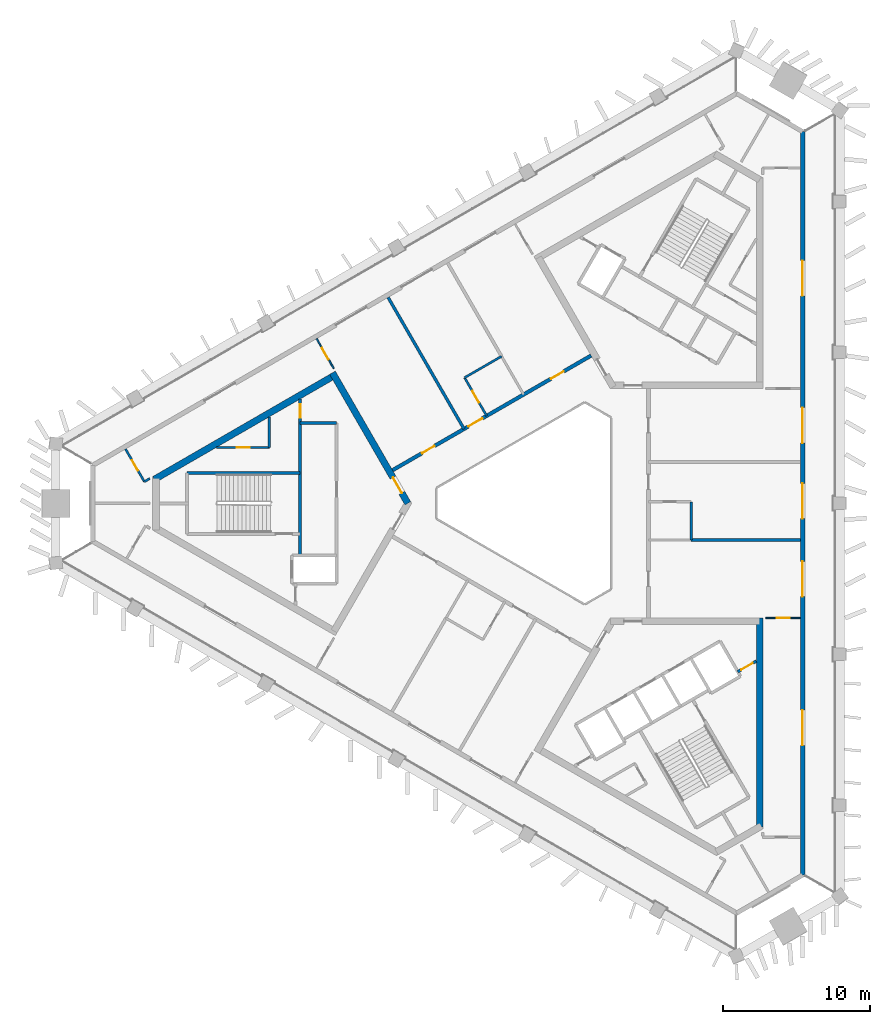
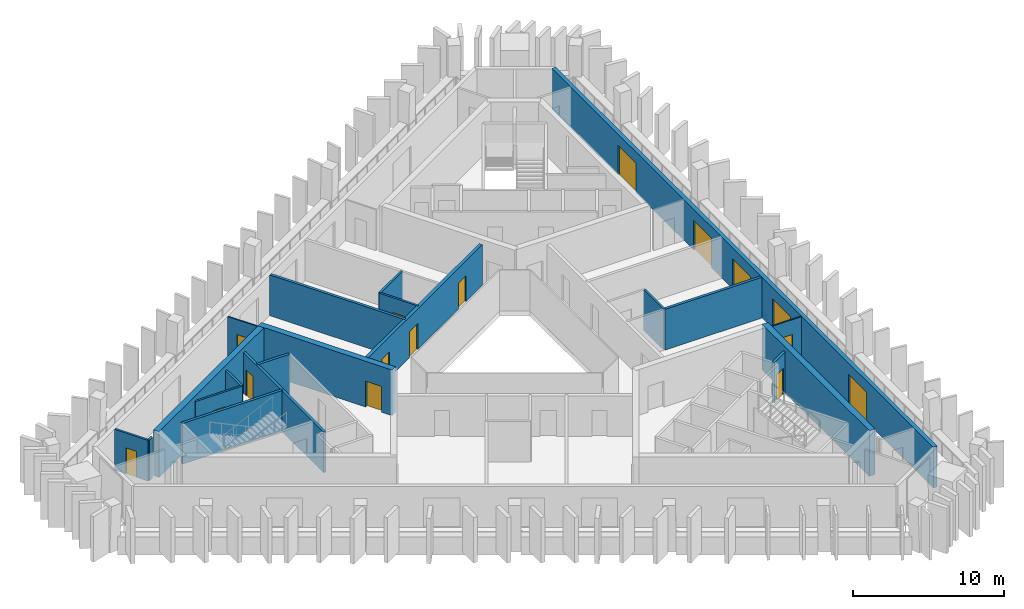
# One storey, part 4 of 9: 20 walls, 16 doors, 16 openings.
"""IFC4 building model written with IfcOpenShell, lengths in metres."""

from ifc_helpers import new_model, si_unit, direction, frame, frame_2d, origin, place, context, subcontext, project, spatial, rectangle, extrude, material, layer, layer_set, type_object, element, fill, save


model = new_model("IFC4")

# Units and contexts
model_context = context("Model", 3, precision=1e-05, world=origin(), true_north=direction((0.0, 1.0)))
body_context = subcontext(model_context, "Body", "Model", "MODEL_VIEW")
ifc_project = project(units=[si_unit("LENGTHUNIT", "METRE"), si_unit("AREAUNIT", "SQUARE_METRE"), si_unit("VOLUMEUNIT", "CUBIC_METRE"), si_unit("PLANEANGLEUNIT", "RADIAN"), si_unit("MASSUNIT", "GRAM", prefix="KILO")], contexts=[model_context])

# Site, building, storey
site_placement = place(None, origin())
site = spatial("IfcSite", under=ifc_project, at=site_placement, CompositionType="ELEMENT")
building_placement = place(site_placement, origin())
building = spatial("IfcBuilding", under=site, at=building_placement, Name="Jabali Bay Hotel Tower and Convention Centre", CompositionType="ELEMENT")
storey_placement = place(building_placement, frame((0.0, 0.0, 224.300048828125)))
storey = spatial("IfcBuildingStorey", under=building, at=storey_placement, Name="L55", CompositionType="ELEMENT", Elevation=224.300048828125)

# Wall, opening, door
ifc_material_1 = material(Name="Concrete C40", Category="concrete")
ifc_layer_1 = layer(ifc_material_1, 0.199951171875)
ifc_layer_set_1 = layer_set([ifc_layer_1], Name="Concrete C40")
wall_type_1 = type_object("IfcWallType", Name="Core partition wall 200", PredefinedType="PARTITIONING", material=ifc_layer_set_1)
wall_1_placement = place(storey_placement, frame((88.164794921875, 68.548095703125, 0.0), z_axis=(0.0, 0.0, 1.0), x_axis=(0.866013036001, 0.500021421018, 0.0)))
wall_1 = element("IfcWall", 1, at=wall_1_placement, inside=storey, type_object=wall_type_1, Name="Core wall 2.12 L55", PredefinedType="PARTITIONING", context=body_context, shape_type="SweptSolid", body=[
    extrude(rectangle(XDim=1.4609375, YDim=0.199951171875, at=frame_2d((0.73046875, 0.0))), origin(), (0.0, 0.0, 1.0), 3.300048828125),
])
opening_1_placement = place(wall_1_placement, frame((0.280517578125, 0.0, 0.0)))
opening_1 = element("IfcOpeningElement", 2, at=opening_1_placement, cuts=wall_1, Name="Opening D1206", PredefinedType="OPENING", context=body_context, shape_type="SweptSolid", body=[
    extrude(rectangle(XDim=0.89990234375, YDim=2.10009765625, at=frame_2d((0.449951171875, 1.050048828125))), frame((0.0, 0.1103515625, 0.0), z_axis=(0.0, -1.0, 0.0), x_axis=(1.0, 0.0, 0.0)), (0.0, 0.0, 1.0), 0.220947265625),
])
ifc_material_2 = material(Name="Fire-rated steel door", Category="steel")
door_type_1 = type_object("IfcDoorType", Name="Vestibule fire door 900 x 2100", OperationType="NOTDEFINED", PredefinedType="NOTDEFINED", material=ifc_material_2)
door_1_placement = place(opening_1_placement, origin())
door_1 = element("IfcDoor", 3, at=door_1_placement, inside=storey, type_object=door_type_1, Name="Vestibule fire door D1206", OperationType="SINGLE_SWING_LEFT", OverallHeight=2.10009765625, OverallWidth=0.89990234375, PredefinedType="NOTDEFINED", context=body_context, shape_type="SweptSolid", body=[
    extrude(rectangle(XDim=0.89990234375, YDim=2.10009765625, at=frame_2d((0.449951171875, 1.050048828125))), frame((0.0, 0.02490234375, 0.0), z_axis=(0.0, -1.0, 0.0), x_axis=(1.0, 0.0, 0.0)), (0.0, 0.0, 1.0), 0.050048828125),
])
fill(opening_1, door_1)

ifc_material_3 = material(Name="Fire-rated board partition")
ifc_layer_2 = layer(ifc_material_3, 0.14990234375)
ifc_layer_set_2 = layer_set([ifc_layer_2], Name="Fire-rated board partition")
wall_type_2 = type_object("IfcWallType", Name="Core room partition 150", PredefinedType="PARTITIONING", material=ifc_layer_set_2)
wall_2_placement = place(storey_placement, frame((56.320068359375, 83.800048828125, 0.0), z_axis=(0.0, 0.0, 1.0), x_axis=(-1.0, 0.0, 0.0)))
wall_2 = element("IfcWall", 4, at=wall_2_placement, inside=storey, type_object=wall_type_2, Name="Core wall 0.1 L55", PredefinedType="PARTITIONING", context=body_context, shape_type="SweptSolid", body=[
    extrude(rectangle(XDim=3.598388671875, YDim=0.14990234375, at=frame_2d((1.79931640625, 0.0))), origin(), (0.0, 0.0, 1.0), 3.300048828125),
])
opening_2_placement = place(wall_2_placement, frame((1.321533203125, 0.0, 0.0)))
opening_2 = element("IfcOpeningElement", 5, at=opening_2_placement, cuts=wall_2, Name="Opening D1193", PredefinedType="OPENING", context=body_context, shape_type="SweptSolid", body=[
    extrude(rectangle(XDim=0.89990234375, YDim=2.10009765625, at=frame_2d((0.449951171875, 1.050048828125))), frame((0.0, 0.08544921875, 0.0), z_axis=(0.0, -1.0, 0.0), x_axis=(1.0, 0.0, 0.0)), (0.0, 0.0, 1.0), 0.1708984375),
])
door_type_2 = type_object("IfcDoorType", Name="Core room door 900 x 2100", OperationType="NOTDEFINED", PredefinedType="NOTDEFINED", material=ifc_material_2)
door_2_placement = place(opening_2_placement, origin())
door_2 = element("IfcDoor", 6, at=door_2_placement, inside=storey, type_object=door_type_2, Name="Core room door D1193", OperationType="SINGLE_SWING_LEFT", OverallHeight=2.10009765625, OverallWidth=0.89990234375, PredefinedType="NOTDEFINED", context=body_context, shape_type="SweptSolid", body=[
    extrude(rectangle(XDim=0.89990234375, YDim=2.10009765625, at=frame_2d((0.449951171875, 1.050048828125))), frame((0.0, 0.02490234375, 0.0), z_axis=(0.0, -1.0, 0.0), x_axis=(1.0, 0.0, 0.0)), (0.0, 0.0, 1.0), 0.050048828125),
])
fill(opening_2, door_2)

# Walls
wall_3_placement = place(storey_placement, frame((56.320068359375, 85.87744140625, 0.0), z_axis=(0.0, 0.0, 1.0), x_axis=(0.0, -1.0, 0.0)))
element("IfcWall", 7, at=wall_3_placement, inside=storey, type_object=wall_type_2, Name="Core wall 0.11 L55", PredefinedType="PARTITIONING", context=body_context, shape_type="SweptSolid", body=[
    extrude(rectangle(XDim=2.077392578125, YDim=0.14990234375, at=frame_2d((1.03857421875, 0.0))), origin(), (0.0, 0.0, 1.0), 3.300048828125),
])
ifc_layer_3 = layer(ifc_material_1, 0.199951171875)
ifc_layer_set_3 = layer_set([ifc_layer_3], Name="Concrete C40")
wall_type_3 = type_object("IfcWallType", Name="Core stair wall 200", PredefinedType="SOLIDWALL", material=ifc_layer_set_3)
wall_4_placement = place(storey_placement, frame((60.89990234375, 85.449951171875, 0.0), z_axis=(0.0, 0.0, 1.0), x_axis=(-1.0, 0.0, 0.0)))
element("IfcWall", 8, at=wall_4_placement, inside=storey, type_object=wall_type_3, Name="Core wall 0.0 L55", PredefinedType="SOLIDWALL", context=body_context, shape_type="SweptSolid", body=[
    extrude(rectangle(XDim=2.47998046875, YDim=0.199951171875, at=frame_2d((1.239990234375, 0.0))), origin(), (0.0, 0.0, 1.0), 3.300048828125),
])
wall_5_placement = place(storey_placement, frame((58.419921875, 82.074951171875, 0.0), z_axis=(0.0, 0.0, 1.0), x_axis=(-1.0, 0.0, 0.0)))
element("IfcWall", 9, at=wall_5_placement, inside=storey, type_object=wall_type_3, Name="Core wall 0.2 L55", PredefinedType="SOLIDWALL", context=body_context, shape_type="SweptSolid", body=[
    extrude(rectangle(XDim=7.699951171875, YDim=0.199951171875, at=frame_2d((3.85009765625, 0.0))), origin(), (0.0, 0.0, 1.0), 3.300048828125),
])

# Wall, opening, door
wall_6_placement = place(storey_placement, frame((58.419921875, 87.08984375, 0.0), z_axis=(0.0, 0.0, 1.0), x_axis=(0.0, -1.0, 0.0)))
wall_6 = element("IfcWall", 10, at=wall_6_placement, inside=storey, type_object=wall_type_3, Name="Core wall 0.8 L55", PredefinedType="SOLIDWALL", context=body_context, shape_type="SweptSolid", body=[
    extrude(rectangle(XDim=10.639892578125, YDim=0.199951171875, at=frame_2d((5.31982421875, 0.0))), origin(), (0.0, 0.0, 1.0), 3.300048828125),
])
opening_3_placement = place(wall_6_placement, frame((0.369873046875, 0.0, 0.0)))
opening_3 = element("IfcOpeningElement", 11, at=opening_3_placement, cuts=wall_6, Name="Opening D1191", PredefinedType="OPENING", context=body_context, shape_type="SweptSolid", body=[
    extrude(rectangle(XDim=0.89990234375, YDim=2.10009765625, at=frame_2d((0.449951171875, 1.050048828125))), frame((0.0, 0.1103515625, 0.0), z_axis=(0.0, -1.0, 0.0), x_axis=(1.0, 0.0, 0.0)), (0.0, 0.0, 1.0), 0.220947265625),
])
door_3_placement = place(opening_3_placement, origin())
door_3 = element("IfcDoor", 12, at=door_3_placement, inside=storey, type_object=door_type_1, Name="Vestibule fire door D1191", OperationType="SINGLE_SWING_LEFT", OverallHeight=2.10009765625, OverallWidth=0.89990234375, PredefinedType="NOTDEFINED", context=body_context, shape_type="SweptSolid", body=[
    extrude(rectangle(XDim=0.89990234375, YDim=2.10009765625, at=frame_2d((0.449951171875, 1.050048828125))), frame((0.0, 0.02490234375, 0.0), z_axis=(0.0, -1.0, 0.0), x_axis=(1.0, 0.0, 0.0)), (0.0, 0.0, 1.0), 0.050048828125),
])
fill(opening_3, door_3)

ifc_material_4 = material(Name="Concrete C60", Category="concrete")
ifc_layer_4 = layer(ifc_material_4, 0.449951171875)
ifc_layer_set_4 = layer_set([ifc_layer_4], Name="Concrete C60")
wall_type_4 = type_object("IfcWallType", Name="Core wall 450", PredefinedType="SHEAR", material=ifc_layer_set_4)
wall_7_placement = place(storey_placement, frame((65.740234375, 80.0, 0.0), z_axis=(0.0, 0.0, 1.0), x_axis=(-0.499991857942, 0.866030104553, 0.0)))
wall_7 = element("IfcWall", 13, at=wall_7_placement, inside=storey, type_object=wall_type_4, Name="Core wall 1.1 L55", PredefinedType="SHEAR", context=body_context, shape_type="SweptSolid", body=[
    extrude(rectangle(XDim=10.250244140625, YDim=0.449951171875, at=frame_2d((5.125, 0.0))), origin(), (0.0, 0.0, 1.0), 3.699951171875),
])
opening_4_placement = place(wall_7_placement, frame((0.820068359375, 0.0, 0.0)))
opening_4 = element("IfcOpeningElement", 14, at=opening_4_placement, cuts=wall_7, Name="Opening D1187", PredefinedType="OPENING", context=body_context, shape_type="SweptSolid", body=[
    extrude(rectangle(XDim=1.199951171875, YDim=2.10009765625, at=frame_2d((0.60009765625, 1.050048828125))), frame((0.0, 0.2353515625, 0.0), z_axis=(0.0, -1.0, 0.0), x_axis=(1.0, 0.0, 0.0)), (0.0, 0.0, 1.0), 0.470947265625),
])
door_type_3 = type_object("IfcDoorType", Name="Corridor end fire door 1200 x 2100", OperationType="NOTDEFINED", PredefinedType="NOTDEFINED", material=ifc_material_2)
door_4_placement = place(opening_4_placement, origin())
door_4 = element("IfcDoor", 15, at=door_4_placement, inside=storey, type_object=door_type_3, Name="Corridor end fire door D1187", OperationType="SINGLE_SWING_RIGHT", OverallHeight=2.10009765625, OverallWidth=1.199951171875, PredefinedType="NOTDEFINED", context=body_context, shape_type="SweptSolid", body=[
    extrude(rectangle(XDim=1.199951171875, YDim=2.10009765625, at=frame_2d((0.60009765625, 1.050048828125))), frame((0.0, 0.02490234375, 0.0), z_axis=(0.0, -1.0, 0.0), x_axis=(1.0, 0.0, 0.0)), (0.0, 0.0, 1.0), 0.050048828125),
])
fill(opening_4, door_4)

# Walls
wall_8_placement = place(storey_placement, frame((60.7275390625, 88.681884765625, 0.0), z_axis=(0.0, 0.0, 1.0), x_axis=(-0.866021613849, -0.500006564303, 0.0)))
element("IfcWall", 16, at=wall_8_placement, inside=storey, type_object=wall_type_4, Name="Core wall 1.2 L55", PredefinedType="SHEAR", context=body_context, shape_type="SweptSolid", body=[
    extrude(rectangle(XDim=14.108154296875, YDim=0.449951171875, at=frame_2d((7.05419921875, 0.0))), origin(), (0.0, 0.0, 1.0), 3.699951171875),
])
wall_9_placement = place(storey_placement, frame((89.655029296875, 58.002197265625, 0.0), z_axis=(0.0, 0.0, 1.0), x_axis=(0.0, 1.0, 0.0)))
element("IfcWall", 17, at=wall_9_placement, inside=storey, type_object=wall_type_4, Name="Core wall 3.4 L55", PredefinedType="SHEAR", context=body_context, shape_type="SweptSolid", body=[
    extrude(rectangle(XDim=14.20361328125, YDim=0.449951171875, at=frame_2d((7.101806640625, 0.0))), origin(), (0.0, 0.0, 1.0), 3.699951171875),
])

# Wall, openings, doors
ifc_layer_5 = layer(ifc_material_4, 0.25)
ifc_layer_set_5 = layer_set([ifc_layer_5], Name="Concrete C60")
wall_type_5 = type_object("IfcWallType", Name="Corridor wall 250", PredefinedType="SHEAR", material=ifc_layer_set_5)
wall_10_placement = place(storey_placement, frame((78.199951171875, 90.0458984375, 0.0), z_axis=(0.0, 0.0, 1.0), x_axis=(-0.866026492143, -0.499998114903, 0.0)))
wall_10 = element("IfcWall", 18, at=wall_10_placement, inside=storey, type_object=wall_type_5, Name="Corridor wall 2 L55", PredefinedType="SHEAR", context=body_context, shape_type="SweptSolid", body=[
    extrude(rectangle(XDim=15.58837890625, YDim=0.25, at=frame_2d((7.794189453125, 0.0))), origin(), (0.0, 0.0, 1.0), 3.300048828125),
])
opening_5_placement = place(wall_10_placement, frame((2.14990234375, 0.0, 0.0)))
opening_5 = element("IfcOpeningElement", 19, at=opening_5_placement, cuts=wall_10, Name="Opening 5509", PredefinedType="OPENING", context=body_context, shape_type="SweptSolid", body=[
    extrude(rectangle(XDim=1.0, YDim=2.10009765625, at=frame_2d((0.5, 1.050048828125))), frame((0.0, 0.135498046875, 0.0), z_axis=(0.0, -1.0, 0.0), x_axis=(1.0, 0.0, 0.0)), (0.0, 0.0, 1.0), 0.27099609375),
])
opening_6_placement = place(wall_10_placement, frame((8.538330078125, 0.0, 0.0)))
opening_6 = element("IfcOpeningElement", 20, at=opening_6_placement, cuts=wall_10, Name="Opening 5513", PredefinedType="OPENING", context=body_context, shape_type="SweptSolid", body=[
    extrude(rectangle(XDim=1.10009765625, YDim=2.10009765625, at=frame_2d((0.550048828125, 1.050048828125))), frame((0.0, 0.135498046875, 0.0), z_axis=(0.0, -1.0, 0.0), x_axis=(1.0, 0.0, 0.0)), (0.0, 0.0, 1.0), 0.27099609375),
])
opening_7_placement = place(wall_10_placement, frame((12.282470703125, 0.0, 0.0)))
opening_7 = element("IfcOpeningElement", 21, at=opening_7_placement, cuts=wall_10, Name="Opening 5514", PredefinedType="OPENING", context=body_context, shape_type="SweptSolid", body=[
    extrude(rectangle(XDim=1.0, YDim=2.10009765625, at=frame_2d((0.5, 1.050048828125))), frame((0.0, 0.135498046875, 0.0), z_axis=(0.0, -1.0, 0.0), x_axis=(1.0, 0.0, 0.0)), (0.0, 0.0, 1.0), 0.27099609375),
])
ifc_material_5 = material(Name="Timber", Category="wood")
door_type_4 = type_object("IfcDoorType", Name="Accessible guest room door 1100 x 2100", OperationType="NOTDEFINED", PredefinedType="NOTDEFINED", material=ifc_material_5)
door_5_placement = place(opening_6_placement, origin())
door_5 = element("IfcDoor", 22, at=door_5_placement, inside=storey, type_object=door_type_4, Name="Door 5513", OperationType="SINGLE_SWING_RIGHT", OverallHeight=2.10009765625, OverallWidth=1.10009765625, PredefinedType="NOTDEFINED", context=body_context, shape_type="SweptSolid", body=[
    extrude(rectangle(XDim=1.10009765625, YDim=2.10009765625, at=frame_2d((0.550048828125, 1.050048828125))), frame((0.0, 0.02490234375, 0.0), z_axis=(0.0, -1.0, 0.0), x_axis=(1.0, 0.0, 0.0)), (0.0, 0.0, 1.0), 0.050048828125),
])
fill(opening_6, door_5)
door_type_5 = type_object("IfcDoorType", Name="Guest room door 1000 x 2100", OperationType="NOTDEFINED", PredefinedType="NOTDEFINED", material=ifc_material_5)
door_6_placement = place(opening_5_placement, origin())
door_6 = element("IfcDoor", 23, at=door_6_placement, inside=storey, type_object=door_type_5, Name="Door 5509", OperationType="SINGLE_SWING_LEFT", OverallHeight=2.10009765625, OverallWidth=1.0, PredefinedType="NOTDEFINED", context=body_context, shape_type="SweptSolid", body=[
    extrude(rectangle(XDim=1.0, YDim=2.10009765625, at=frame_2d((0.5, 1.050048828125))), frame((0.0, 0.02490234375, 0.0), z_axis=(0.0, -1.0, 0.0), x_axis=(1.0, 0.0, 0.0)), (0.0, 0.0, 1.0), 0.050048828125),
])
fill(opening_5, door_6)
door_7_placement = place(opening_7_placement, origin())
door_7 = element("IfcDoor", 24, at=door_7_placement, inside=storey, type_object=door_type_5, Name="Door 5514", OperationType="SINGLE_SWING_RIGHT", OverallHeight=2.10009765625, OverallWidth=1.0, PredefinedType="NOTDEFINED", context=body_context, shape_type="SweptSolid", body=[
    extrude(rectangle(XDim=1.0, YDim=2.10009765625, at=frame_2d((0.5, 1.050048828125))), frame((0.0, 0.02490234375, 0.0), z_axis=(0.0, -1.0, 0.0), x_axis=(1.0, 0.0, 0.0)), (0.0, 0.0, 1.0), 0.050048828125),
])
fill(opening_7, door_7)

ifc_layer_6 = layer(ifc_material_1, 0.300048828125)
ifc_layer_set_6 = layer_set([ifc_layer_6], Name="Concrete C40")
wall_type_6 = type_object("IfcWallType", Name="External wall 300", PredefinedType="SOLIDWALL", material=ifc_layer_set_6)
wall_11_placement = place(storey_placement, frame((92.577392578125, 105.273681640625, 0.0), z_axis=(0.0, 0.0, 1.0), x_axis=(0.0, -1.0, 0.0)))
wall_11 = element("IfcWall", 25, at=wall_11_placement, inside=storey, type_object=wall_type_6, Name="External wall east face L55", PredefinedType="SOLIDWALL", context=body_context, shape_type="SweptSolid", body=[
    extrude(rectangle(XDim=50.54736328125, YDim=0.300048828125, at=frame_2d((25.273681640625, 0.0))), origin(), (0.0, 0.0, 1.0), 3.300048828125),
])
opening_8_placement = place(wall_11_placement, frame((29.218017578125, 0.0, 0.0)))
opening_8 = element("IfcOpeningElement", 26, at=opening_8_placement, cuts=wall_11, Name="Opening SD1", PredefinedType="OPENING", context=body_context, shape_type="SweptSolid", body=[
    extrude(rectangle(XDim=2.39990234375, YDim=2.39990234375, at=frame_2d((1.199951171875, 1.199951171875))), frame((0.0, 0.16064453125, 0.0), z_axis=(0.0, -1.0, 0.0), x_axis=(1.0, 0.0, 0.0)), (0.0, 0.0, 1.0), 0.321044921875),
])
opening_9_placement = place(wall_11_placement, frame((39.327880859375, 0.0, 0.0)))
opening_9 = element("IfcOpeningElement", 27, at=opening_9_placement, cuts=wall_11, Name="Opening SD1", PredefinedType="OPENING", context=body_context, shape_type="SweptSolid", body=[
    extrude(rectangle(XDim=2.39990234375, YDim=2.39990234375, at=frame_2d((1.199951171875, 1.199951171875))), frame((0.0, 0.16064453125, 0.0), z_axis=(0.0, -1.0, 0.0), x_axis=(1.0, 0.0, 0.0)), (0.0, 0.0, 1.0), 0.321044921875),
])
opening_10_placement = place(wall_11_placement, frame((18.773681640625, 0.0, 0.0)))
opening_10 = element("IfcOpeningElement", 28, at=opening_10_placement, cuts=wall_11, Name="Opening SD1", PredefinedType="OPENING", context=body_context, shape_type="SweptSolid", body=[
    extrude(rectangle(XDim=2.39990234375, YDim=2.39990234375, at=frame_2d((1.199951171875, 1.199951171875))), frame((0.0, 0.16064453125, 0.0), z_axis=(0.0, -1.0, 0.0), x_axis=(1.0, 0.0, 0.0)), (0.0, 0.0, 1.0), 0.321044921875),
])
opening_11_placement = place(wall_11_placement, frame((8.7705078125, 0.0, 0.0)))
opening_11 = element("IfcOpeningElement", 29, at=opening_11_placement, cuts=wall_11, Name="Opening SD1", PredefinedType="OPENING", context=body_context, shape_type="SweptSolid", body=[
    extrude(rectangle(XDim=2.39990234375, YDim=2.39990234375, at=frame_2d((1.199951171875, 1.199951171875))), frame((0.0, 0.16064453125, 0.0), z_axis=(0.0, -1.0, 0.0), x_axis=(1.0, 0.0, 0.0)), (0.0, 0.0, 1.0), 0.321044921875),
])
opening_12_placement = place(wall_11_placement, frame((23.91796875, 0.0, 0.0)))
opening_12 = element("IfcOpeningElement", 30, at=opening_12_placement, cuts=wall_11, Name="Opening SD1", PredefinedType="OPENING", context=body_context, shape_type="SweptSolid", body=[
    extrude(rectangle(XDim=2.39990234375, YDim=2.39990234375, at=frame_2d((1.199951171875, 1.199951171875))), frame((0.0, 0.16064453125, 0.0), z_axis=(0.0, -1.0, 0.0), x_axis=(1.0, 0.0, 0.0)), (0.0, 0.0, 1.0), 0.321044921875),
])
ifc_material_6 = material(Name="Glass", Category="glass")
door_type_6 = type_object("IfcDoorType", Name="Loggia sliding door 2400 x 2400", OperationType="NOTDEFINED", PredefinedType="NOTDEFINED", material=ifc_material_6)
door_8_placement = place(opening_8_placement, origin())
door_8 = element("IfcDoor", 31, at=door_8_placement, inside=storey, type_object=door_type_6, Name="Loggia sliding door 5501", OperationType="SLIDING_TO_LEFT", OverallHeight=2.39990234375, OverallWidth=2.39990234375, PredefinedType="NOTDEFINED", context=body_context, shape_type="SweptSolid", body=[
    extrude(rectangle(XDim=2.39990234375, YDim=2.39990234375, at=frame_2d((1.199951171875, 1.199951171875))), frame((0.0, 0.02490234375, 0.0), z_axis=(0.0, -1.0, 0.0), x_axis=(1.0, 0.0, 0.0)), (0.0, 0.0, 1.0), 0.050048828125),
])
fill(opening_8, door_8)
door_9_placement = place(opening_9_placement, origin())
door_9 = element("IfcDoor", 32, at=door_9_placement, inside=storey, type_object=door_type_6, Name="Loggia sliding door 5501", OperationType="SLIDING_TO_RIGHT", OverallHeight=2.39990234375, OverallWidth=2.39990234375, PredefinedType="NOTDEFINED", context=body_context, shape_type="SweptSolid", body=[
    extrude(rectangle(XDim=2.39990234375, YDim=2.39990234375, at=frame_2d((1.199951171875, 1.199951171875))), frame((0.0, 0.02490234375, 0.0), z_axis=(0.0, -1.0, 0.0), x_axis=(1.0, 0.0, 0.0)), (0.0, 0.0, 1.0), 0.050048828125),
])
fill(opening_9, door_9)
door_10_placement = place(opening_10_placement, origin())
door_10 = element("IfcDoor", 33, at=door_10_placement, inside=storey, type_object=door_type_6, Name="Loggia sliding door 5503", OperationType="SLIDING_TO_LEFT", OverallHeight=2.39990234375, OverallWidth=2.39990234375, PredefinedType="NOTDEFINED", context=body_context, shape_type="SweptSolid", body=[
    extrude(rectangle(XDim=2.39990234375, YDim=2.39990234375, at=frame_2d((1.199951171875, 1.199951171875))), frame((0.0, 0.02490234375, 0.0), z_axis=(0.0, -1.0, 0.0), x_axis=(1.0, 0.0, 0.0)), (0.0, 0.0, 1.0), 0.050048828125),
])
fill(opening_10, door_10)
door_11_placement = place(opening_11_placement, origin())
door_11 = element("IfcDoor", 34, at=door_11_placement, inside=storey, type_object=door_type_6, Name="Loggia sliding door 5503", OperationType="SLIDING_TO_RIGHT", OverallHeight=2.39990234375, OverallWidth=2.39990234375, PredefinedType="NOTDEFINED", context=body_context, shape_type="SweptSolid", body=[
    extrude(rectangle(XDim=2.39990234375, YDim=2.39990234375, at=frame_2d((1.199951171875, 1.199951171875))), frame((0.0, 0.02490234375, 0.0), z_axis=(0.0, -1.0, 0.0), x_axis=(1.0, 0.0, 0.0)), (0.0, 0.0, 1.0), 0.050048828125),
])
fill(opening_11, door_11)
door_12_placement = place(opening_12_placement, origin())
door_12 = element("IfcDoor", 35, at=door_12_placement, inside=storey, type_object=door_type_6, Name="Loggia sliding door 5502", OperationType="SLIDING_TO_LEFT", OverallHeight=2.39990234375, OverallWidth=2.39990234375, PredefinedType="NOTDEFINED", context=body_context, shape_type="SweptSolid", body=[
    extrude(rectangle(XDim=2.39990234375, YDim=2.39990234375, at=frame_2d((1.199951171875, 1.199951171875))), frame((0.0, 0.02490234375, 0.0), z_axis=(0.0, -1.0, 0.0), x_axis=(1.0, 0.0, 0.0)), (0.0, 0.0, 1.0), 0.050048828125),
])
fill(opening_12, door_12)

# Wall, opening, door
ifc_material_7 = material(Name="Plasterboard on steel stud", Category="steel")
ifc_layer_7 = layer(ifc_material_7, 0.10009765625)
ifc_layer_set_7 = layer_set([ifc_layer_7], Name="Plasterboard on steel stud")
wall_type_7 = type_object("IfcWallType", Name="Partition 100 unit", PredefinedType="PARTITIONING", material=ifc_layer_set_7)
wall_12_placement = place(storey_placement, frame((90.0791015625, 72.205810546875, 0.0), z_axis=(0.0, 0.0, 1.0), x_axis=(1.0, 0.0, 0.0)))
wall_12 = element("IfcWall", 36, at=wall_12_placement, inside=storey, type_object=wall_type_7, Name="Partition P02 L55 001", PredefinedType="PARTITIONING", context=body_context, shape_type="SweptSolid", body=[
    extrude(rectangle(XDim=2.34912109375, YDim=0.10009765625, at=frame_2d((1.174560546875, 0.0))), origin(), (0.0, 0.0, 1.0), 3.300048828125),
])
opening_13_placement = place(wall_12_placement, frame((0.72509765625, 0.0, 0.0)))
opening_13 = element("IfcOpeningElement", 37, at=opening_13_placement, cuts=wall_12, Name="Opening 5502", PredefinedType="OPENING", context=body_context, shape_type="SweptSolid", body=[
    extrude(rectangle(XDim=0.89990234375, YDim=2.10009765625, at=frame_2d((0.449951171875, 1.050048828125))), frame((0.0, 0.060546875, 0.0), z_axis=(0.0, -1.0, 0.0), x_axis=(1.0, 0.0, 0.0)), (0.0, 0.0, 1.0), 0.12109375),
])
door_type_7 = type_object("IfcDoorType", Name="Internal door 900 x 2100", OperationType="NOTDEFINED", PredefinedType="NOTDEFINED", material=ifc_material_5)
door_13_placement = place(opening_13_placement, origin())
door_13 = element("IfcDoor", 38, at=door_13_placement, inside=storey, type_object=door_type_7, Name="Door 5502", OperationType="SINGLE_SWING_RIGHT", OverallHeight=2.10009765625, OverallWidth=0.89990234375, PredefinedType="NOTDEFINED", context=body_context, shape_type="SweptSolid", body=[
    extrude(rectangle(XDim=0.89990234375, YDim=2.10009765625, at=frame_2d((0.449951171875, 1.050048828125))), frame((0.0, 0.02490234375, 0.0), z_axis=(0.0, -1.0, 0.0), x_axis=(1.0, 0.0, 0.0)), (0.0, 0.0, 1.0), 0.050048828125),
])
fill(opening_13, door_13)

wall_13_placement = place(storey_placement, frame((59.535888671875, 91.1962890625, 0.0), z_axis=(0.0, 0.0, 1.0), x_axis=(0.499950341091, -0.86605407247, 0.0)))
wall_13 = element("IfcWall", 39, at=wall_13_placement, inside=storey, type_object=wall_type_7, Name="Partition P02 L55 022", PredefinedType="PARTITIONING", context=body_context, shape_type="SweptSolid", body=[
    extrude(rectangle(XDim=2.349365234375, YDim=0.10009765625, at=frame_2d((1.1748046875, 0.0))), origin(), (0.0, 0.0, 1.0), 3.300048828125),
])
opening_14_placement = place(wall_13_placement, frame((0.72509765625, 0.0, 0.0)))
opening_14 = element("IfcOpeningElement", 40, at=opening_14_placement, cuts=wall_13, Name="Opening 5515", PredefinedType="OPENING", context=body_context, shape_type="SweptSolid", body=[
    extrude(rectangle(XDim=0.89990234375, YDim=2.10009765625, at=frame_2d((0.449951171875, 1.050048828125))), frame((0.0, 0.060546875, 0.0), z_axis=(0.0, -1.0, 0.0), x_axis=(1.0, 0.0, 0.0)), (0.0, 0.0, 1.0), 0.12109375),
])
door_14_placement = place(opening_14_placement, origin())
door_14 = element("IfcDoor", 41, at=door_14_placement, inside=storey, type_object=door_type_7, Name="Door 5515", OperationType="SINGLE_SWING_RIGHT", OverallHeight=2.10009765625, OverallWidth=0.89990234375, PredefinedType="NOTDEFINED", context=body_context, shape_type="SweptSolid", body=[
    extrude(rectangle(XDim=0.89990234375, YDim=2.10009765625, at=frame_2d((0.449951171875, 1.050048828125))), frame((0.0, 0.02490234375, 0.0), z_axis=(0.0, -1.0, 0.0), x_axis=(1.0, 0.0, 0.0)), (0.0, 0.0, 1.0), 0.050048828125),
])
fill(opening_14, door_14)

# Wall
ifc_layer_8 = layer(ifc_material_7, 0.14990234375)
ifc_layer_set_8 = layer_set([ifc_layer_8], Name="Plasterboard on steel stud")
wall_type_8 = type_object("IfcWallType", Name="Partition 150 wet", PredefinedType="PARTITIONING", material=ifc_layer_set_8)
wall_14_placement = place(storey_placement, frame((85.0, 80.10595703125, 0.0), z_axis=(0.0, 0.0, 1.0), x_axis=(0.0, -1.0, 0.0)))
element("IfcWall", 42, at=wall_14_placement, inside=storey, type_object=wall_type_8, Name="Partition P03 L55 008", PredefinedType="PARTITIONING", context=body_context, shape_type="SweptSolid", body=[
    extrude(rectangle(XDim=2.60009765625, YDim=0.14990234375, at=frame_2d((1.300048828125, 0.0))), origin(), (0.0, 0.0, 1.0), 3.300048828125),
])

# Wall, opening, door
wall_15_placement = place(storey_placement, frame((71.0986328125, 85.94580078125, 0.0), z_axis=(0.0, 0.0, 1.0), x_axis=(-0.499990139034, 0.866031096941, 0.0)))
wall_15 = element("IfcWall", 43, at=wall_15_placement, inside=storey, type_object=wall_type_8, Name="Partition P03 L55 019", PredefinedType="PARTITIONING", context=body_context, shape_type="SweptSolid", body=[
    extrude(rectangle(XDim=3.0, YDim=0.14990234375, at=frame_2d((1.5, 0.0))), origin(), (0.0, 0.0, 1.0), 3.300048828125),
])
opening_15_placement = place(wall_15_placement, frame((1.050048828125, 0.0, 0.0)))
opening_15 = element("IfcOpeningElement", 44, at=opening_15_placement, cuts=wall_15, Name="Opening 5512", PredefinedType="OPENING", context=body_context, shape_type="SweptSolid", body=[
    extrude(rectangle(XDim=0.89990234375, YDim=2.10009765625, at=frame_2d((0.449951171875, 1.050048828125))), frame((0.0, 0.08544921875, 0.0), z_axis=(0.0, -1.0, 0.0), x_axis=(1.0, 0.0, 0.0)), (0.0, 0.0, 1.0), 0.1708984375),
])
door_type_8 = type_object("IfcDoorType", Name="Accessible en-suite door 900 x 2100", OperationType="NOTDEFINED", PredefinedType="NOTDEFINED", material=ifc_material_5)
door_15_placement = place(opening_15_placement, origin())
door_15 = element("IfcDoor", 45, at=door_15_placement, inside=storey, type_object=door_type_8, Name="Door 5512", OperationType="SINGLE_SWING_RIGHT", OverallHeight=2.10009765625, OverallWidth=0.89990234375, PredefinedType="NOTDEFINED", context=body_context, shape_type="SweptSolid", body=[
    extrude(rectangle(XDim=0.89990234375, YDim=2.10009765625, at=frame_2d((0.449951171875, 1.050048828125))), frame((0.0, 0.02490234375, 0.0), z_axis=(0.0, -1.0, 0.0), x_axis=(1.0, 0.0, 0.0)), (0.0, 0.0, 1.0), 0.050048828125),
])
fill(opening_15, door_15)

# Wall
wall_16_placement = place(storey_placement, frame((69.5986328125, 88.5439453125, 0.0), z_axis=(0.0, 0.0, 1.0), x_axis=(0.866032775405, 0.499987231761, 0.0)))
element("IfcWall", 46, at=wall_16_placement, inside=storey, type_object=wall_type_8, Name="Partition P03 L55 020", PredefinedType="PARTITIONING", context=body_context, shape_type="SweptSolid", body=[
    extrude(rectangle(XDim=2.89990234375, YDim=0.14990234375, at=frame_2d((1.449951171875, 0.0))), origin(), (0.0, 0.0, 1.0), 3.300048828125),
])

# Wall, opening, door
wall_17_placement = place(storey_placement, frame((46.54541015625, 83.6962890625, 0.0), z_axis=(0.0, 0.0, 1.0), x_axis=(0.50000507078, -0.866022476149, 0.0)))
wall_17 = element("IfcWall", 47, at=wall_17_placement, inside=storey, type_object=wall_type_8, Name="Partition P03 L55 023", PredefinedType="PARTITIONING", context=body_context, shape_type="SweptSolid", body=[
    extrude(rectangle(XDim=2.5673828125, YDim=0.14990234375, at=frame_2d((1.28369140625, 0.0))), origin(), (0.0, 0.0, 1.0), 3.300048828125),
])
opening_16_placement = place(wall_17_placement, frame((0.884033203125, 0.0, 0.0)))
opening_16 = element("IfcOpeningElement", 48, at=opening_16_placement, cuts=wall_17, Name="Opening 5516", PredefinedType="OPENING", context=body_context, shape_type="SweptSolid", body=[
    extrude(rectangle(XDim=0.800048828125, YDim=2.10009765625, at=frame_2d((0.39990234375, 1.050048828125))), frame((0.0, 0.08544921875, 0.0), z_axis=(0.0, -1.0, 0.0), x_axis=(1.0, 0.0, 0.0)), (0.0, 0.0, 1.0), 0.1708984375),
])
door_type_9 = type_object("IfcDoorType", Name="En-suite door 800 x 2100", OperationType="NOTDEFINED", PredefinedType="NOTDEFINED", material=ifc_material_5)
door_16_placement = place(opening_16_placement, origin())
door_16 = element("IfcDoor", 49, at=door_16_placement, inside=storey, type_object=door_type_9, Name="Door 5516", OperationType="SINGLE_SWING_LEFT", OverallHeight=2.10009765625, OverallWidth=0.800048828125, PredefinedType="NOTDEFINED", context=body_context, shape_type="SweptSolid", body=[
    extrude(rectangle(XDim=0.800048828125, YDim=2.10009765625, at=frame_2d((0.39990234375, 1.050048828125))), frame((0.0, 0.02490234375, 0.0), z_axis=(0.0, -1.0, 0.0), x_axis=(1.0, 0.0, 0.0)), (0.0, 0.0, 1.0), 0.050048828125),
])
fill(opening_16, door_16)

# Walls
wall_18_placement = place(storey_placement, frame((47.8291015625, 81.472900390625, 0.0), z_axis=(0.0, 0.0, 1.0), x_axis=(0.86611877815, 0.499838235968, 0.0)))
element("IfcWall", 50, at=wall_18_placement, inside=storey, type_object=wall_type_8, Name="Partition P03 L55 024", PredefinedType="PARTITIONING", context=body_context, shape_type="SweptSolid", body=[
    extrude(rectangle(XDim=0.426025390625, YDim=0.14990234375, at=frame_2d((0.212890625, 0.0))), origin(), (0.0, 0.0, 1.0), 3.300048828125),
])
ifc_layer_9 = layer(ifc_material_7, 0.199951171875)
ifc_layer_set_9 = layer_set([ifc_layer_9], Name="Plasterboard on steel stud")
wall_type_9 = type_object("IfcWallType", Name="Partition 200 party", PredefinedType="PARTITIONING", material=ifc_layer_set_9)
wall_19_placement = place(storey_placement, frame((92.42822265625, 77.505859375, 0.0), z_axis=(0.0, 0.0, 1.0), x_axis=(-1.0, 0.0, 0.0)))
element("IfcWall", 51, at=wall_19_placement, inside=storey, type_object=wall_type_9, Name="Partition P01 L55 002", PredefinedType="PARTITIONING", context=body_context, shape_type="SweptSolid", body=[
    extrude(rectangle(XDim=7.42822265625, YDim=0.199951171875, at=frame_2d((3.714111328125, 0.0))), origin(), (0.0, 0.0, 1.0), 3.300048828125),
])
wall_20_placement = place(storey_placement, frame((64.395751953125, 94.002197265625, 0.0), z_axis=(0.0, 0.0, 1.0), x_axis=(0.50001095942, -0.866019076268, 0.0)))
element("IfcWall", 52, at=wall_20_placement, inside=storey, type_object=wall_type_9, Name="Partition P01 L55 021", PredefinedType="PARTITIONING", context=body_context, shape_type="SweptSolid", body=[
    extrude(rectangle(XDim=10.328369140625, YDim=0.199951171875, at=frame_2d((5.1640625, 0.0))), origin(), (0.0, 0.0, 1.0), 3.300048828125),
])

save(model, "model.ifc")
